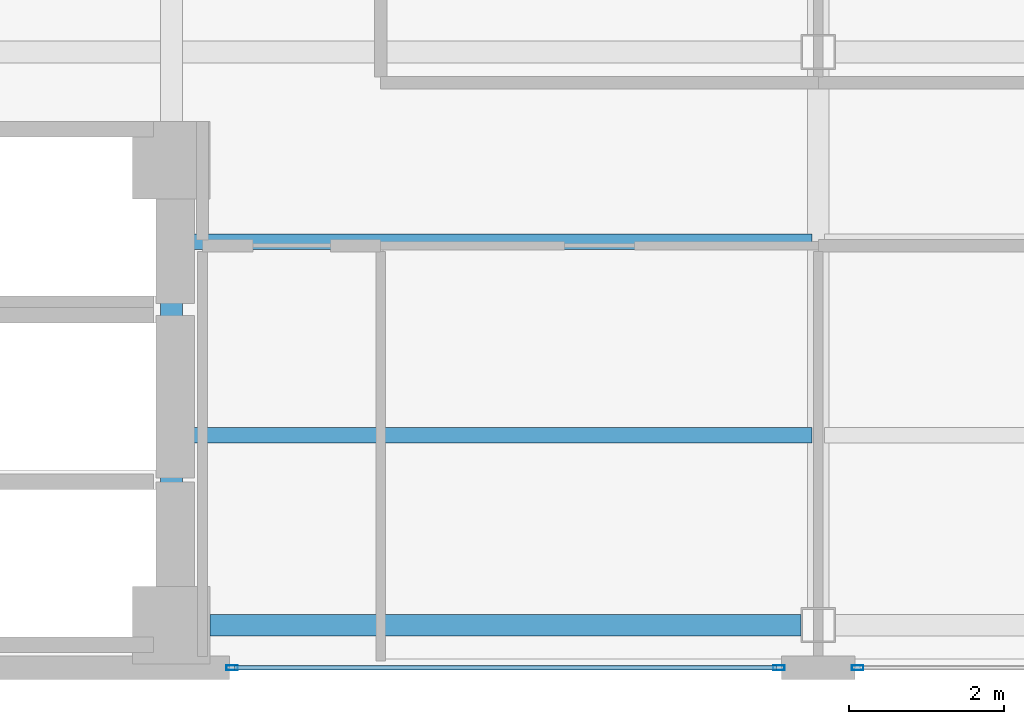
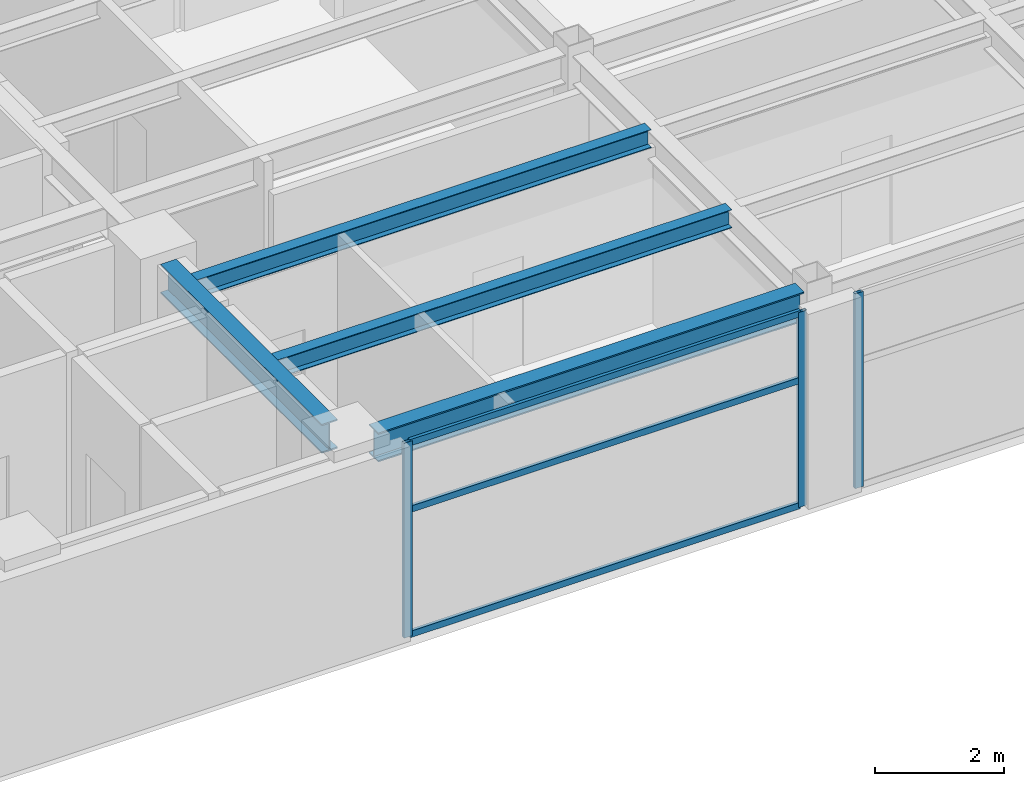
# One storey, part 4 of 16: 6 members, 4 beams, 2 elements without a shape of their own.
"""IFC4 building model written with IfcOpenShell, lengths in metres."""

from ifc_helpers import new_model, si_unit, direction, frame, origin, origin_2d, place, context, subcontext, project, spatial, hollow_rectangle, i_section, extrude, material, layer, layer_set, material_profile, profile_set, type_object, element, aggregate, save


model = new_model("IFC4")

# Units and contexts
model_context = context("Model", 3, precision=1e-05, world=origin(), true_north=direction((0.0, 1.0)))
body_context = subcontext(model_context, "Body", "Model", "MODEL_VIEW")
ifc_project = project(units=[si_unit("LENGTHUNIT", "METRE"), si_unit("AREAUNIT", "SQUARE_METRE"), si_unit("VOLUMEUNIT", "CUBIC_METRE"), si_unit("PLANEANGLEUNIT", "RADIAN"), si_unit("MASSUNIT", "GRAM", prefix="KILO")], contexts=[model_context])

# Site, building, storey
site_placement = place(None, origin())
site = spatial("IfcSite", under=ifc_project, at=site_placement, CompositionType="ELEMENT")
building_placement = place(site_placement, origin())
building = spatial("IfcBuilding", under=site, at=building_placement, Name="Mawjaban Terraces University", CompositionType="ELEMENT")
storey_placement = place(building_placement, frame((0.0, 0.0, 230.39990234375)))
storey = spatial("IfcBuildingStorey", under=building, at=storey_placement, Name="L56", CompositionType="ELEMENT", Elevation=230.39990234375)

# Beams
ifc_material_1 = material(Name="Steel ASTM A572 Grade 50", Category="steel")
ifc_material_profile_1 = material_profile(ifc_material_1, i_section(OverallWidth=0.281005859375, OverallDepth=0.551025390625, WebThickness=0.01513671875, FlangeThickness=0.02587890625, at=origin_2d()), Name="W530X182")
ifc_profile_set_1 = profile_set([ifc_material_profile_1], Name="Steel ASTM A572 Grade 50")
beam_type_1 = type_object("IfcBeamType", Name="Beam_B_W530X182", PredefinedType="BEAM", material=ifc_profile_set_1)
beam_1_placement = place(storey_placement, frame((38.14990234375, 0.550048828125, 3.4150390625), z_axis=(1.0, 0.0, 0.0), x_axis=(0.0, 1.0, 0.0)))
element("IfcBeam", 1, at=beam_1_placement, inside=storey, type_object=beam_type_1, Name="L56 Beam BM-L56-EW-01", PredefinedType="BEAM", context=body_context, shape_type="SweptSolid", body=[
    extrude(i_section(OverallWidth=0.281005859375, OverallDepth=0.551025390625, WebThickness=0.01513671875, FlangeThickness=0.02587890625, at=origin_2d()), origin(), (0.0, 0.0, 1.0), 7.625),
])
beam_2_placement = place(storey_placement, frame((37.64990234375, 1.050048828125, 3.4150390625), z_axis=(0.0, 1.0, 0.0), x_axis=(-1.0, 0.0, 0.0)))
element("IfcBeam", 2, at=beam_2_placement, inside=storey, type_object=beam_type_1, Name="L56 Beam BM-L56-NS-05", PredefinedType="BEAM", context=body_context, shape_type="SweptSolid", body=[
    extrude(i_section(OverallWidth=0.281005859375, OverallDepth=0.551025390625, WebThickness=0.01513671875, FlangeThickness=0.02587890625, at=origin_2d()), origin(), (0.0, 0.0, 1.0), 5.0),
])
ifc_material_profile_2 = material_profile(ifc_material_1, i_section(OverallWidth=0.202880859375, OverallDepth=0.346923828125, WebThickness=0.0078125, FlangeThickness=0.013427734375, at=origin_2d()), Name="W360X64")
ifc_profile_set_2 = profile_set([ifc_material_profile_2], Name="Steel ASTM A572 Grade 50")
beam_type_2 = type_object("IfcBeamType", Name="Beam_J_W360X64", PredefinedType="JOIST", material=ifc_profile_set_2)
for number, where, z_axis, x_axis, name in (
    (3, (37.72998046875, 3.0, 3.51708984375), (1.0, 0.0, 0.0), (0.0, 1.0, 0.0), "L56 Composite Joist JST-L56-01"),
    (4, (37.72998046875, 5.5, 3.51708984375), (1.0, 0.0, 0.0), (0.0, 1.0, 0.0), "L56 Composite Joist JST-L56-04"),
):
    element("IfcBeam", number, at=place(storey_placement, frame(where, z_axis=z_axis, x_axis=x_axis)), inside=storey, type_object=beam_type_2, Name=name, PredefinedType="JOIST", context=body_context, shape_type="SweptSolid", body=[
        extrude(i_section(OverallWidth=0.202880859375, OverallDepth=0.346923828125, WebThickness=0.0078125, FlangeThickness=0.013427734375, at=origin_2d()), origin(), (0.0, 0.0, 1.0), 8.18994140625),
    ])

# Curtain wall, members
ifc_material_2 = material(Name="Anodised aluminium 6063-T6 and solar-control low-E glass", Category="aluminium")
ifc_layer = layer(ifc_material_2, 0.159912109375)
ifc_layer_set = layer_set([ifc_layer], Name="Anodised aluminium 6063-T6 and solar-control low-E glass")
curtain_wall_type = type_object("IfcCurtainWallType", Name="CWSystem_03_NorthWing", PredefinedType="NOTDEFINED", material=ifc_layer_set)
curtain_wall_1_placement = place(storey_placement, origin())
curtain_wall_1 = element("IfcCurtainWall", 5, at=curtain_wall_1_placement, inside=storey, type_object=curtain_wall_type, Name="L56 Curtain Wall CW-03 Run 1.2", PredefinedType="NOTDEFINED")
ifc_material_3 = material(Name="Anodised aluminium 6063-T6", Category="aluminium")
ifc_material_profile_3 = material_profile(ifc_material_3, hollow_rectangle(XDim=0.06005859375, YDim=0.14990234375, WallThickness=0.00390625, at=origin_2d()), Name="ALU150X60X4")
ifc_profile_set_3 = profile_set([ifc_material_profile_3], Name="Anodised aluminium 6063-T6")
member_type_1 = type_object("IfcMemberType", Name="Mullion_CW-03", PredefinedType="MULLION", material=ifc_profile_set_3)
member_1_placement = place(storey_placement, frame((38.4326171875, 0.0, 0.0), z_axis=(0.0, 0.0, 1.0), x_axis=(0.0, 1.0, 0.0)))
member_1 = element("IfcMember", 6, at=member_1_placement, type_object=member_type_1, Name="CW-03 mullion 1", PredefinedType="MULLION", context=body_context, shape_type="SweptSolid", body=[
    extrude(hollow_rectangle(XDim=0.06005859375, YDim=0.14990234375, WallThickness=0.00390625, at=origin_2d()), origin(), (0.0, 0.0, 1.0), 3.690185546875),
])
member_2_placement = place(storey_placement, frame((45.492431640625, 0.0, 0.0), z_axis=(0.0, 0.0, 1.0), x_axis=(0.0, 1.0, 0.0)))
member_2 = element("IfcMember", 7, at=member_2_placement, type_object=member_type_1, Name="CW-03 mullion 2", PredefinedType="MULLION", context=body_context, shape_type="SweptSolid", body=[
    extrude(hollow_rectangle(XDim=0.06005859375, YDim=0.14990234375, WallThickness=0.00390625, at=origin_2d()), origin(), (0.0, 0.0, 1.0), 3.690185546875),
])

# Curtain wall, member
curtain_wall_2_placement = place(storey_placement, origin())
curtain_wall_2 = element("IfcCurtainWall", 8, at=curtain_wall_2_placement, inside=storey, type_object=curtain_wall_type, Name="L56 Curtain Wall CW-03 Run 1.3", PredefinedType="NOTDEFINED")
member_3_placement = place(storey_placement, frame((46.507568359375, 0.0, 0.0), z_axis=(0.0, 0.0, 1.0), x_axis=(0.0, 1.0, 0.0)))
member_3 = element("IfcMember", 9, at=member_3_placement, type_object=member_type_1, Name="CW-03 mullion 1", PredefinedType="MULLION", context=body_context, shape_type="SweptSolid", body=[
    extrude(hollow_rectangle(XDim=0.06005859375, YDim=0.14990234375, WallThickness=0.00390625, at=origin_2d()), origin(), (0.0, 0.0, 1.0), 3.690185546875),
])
aggregate(curtain_wall_2, [member_3])

# Member
ifc_material_profile_4 = material_profile(ifc_material_3, hollow_rectangle(XDim=0.06005859375, YDim=0.1201171875, WallThickness=0.00341796875, at=origin_2d()), Name="ALU120X60X3.5")
ifc_profile_set_4 = profile_set([ifc_material_profile_4], Name="Anodised aluminium 6063-T6")
member_type_2 = type_object("IfcMemberType", Name="Transom_CW-03", PredefinedType="NOTDEFINED", material=ifc_profile_set_4)
member_4_placement = place(storey_placement, frame((38.465087890625, 0.0, 0.030029296875), z_axis=(1.0, 0.0, 0.0), x_axis=(0.0, 1.0, 0.0)))
member_4 = element("IfcMember", 10, at=member_4_placement, type_object=member_type_2, Name="CW-03 transom 1.1", ObjectType="TRANSOM", PredefinedType="USERDEFINED", context=body_context, shape_type="SweptSolid", body=[
    extrude(hollow_rectangle(XDim=0.06005859375, YDim=0.1201171875, WallThickness=0.00341796875, at=origin_2d()), origin(), (0.0, 0.0, 1.0), 6.994873046875),
])

member_5_placement = place(storey_placement, frame((38.465087890625, 0.0, 2.398193359375), z_axis=(1.0, 0.0, 0.0), x_axis=(0.0, 1.0, 0.0)))
member_5 = element("IfcMember", 11, at=member_5_placement, type_object=member_type_2, Name="CW-03 transom 1.2", ObjectType="TRANSOM", PredefinedType="USERDEFINED", context=body_context, shape_type="SweptSolid", body=[
    extrude(hollow_rectangle(XDim=0.06005859375, YDim=0.1201171875, WallThickness=0.00341796875, at=origin_2d()), origin(), (0.0, 0.0, 1.0), 6.994873046875),
])

member_6_placement = place(storey_placement, frame((38.465087890625, 0.0, 3.66015625), z_axis=(1.0, 0.0, 0.0), x_axis=(0.0, 1.0, 0.0)))
member_6 = element("IfcMember", 12, at=member_6_placement, type_object=member_type_2, Name="CW-03 transom 1.3", ObjectType="TRANSOM", PredefinedType="USERDEFINED", context=body_context, shape_type="SweptSolid", body=[
    extrude(hollow_rectangle(XDim=0.06005859375, YDim=0.1201171875, WallThickness=0.00341796875, at=origin_2d()), origin(), (0.0, 0.0, 1.0), 6.994873046875),
])

aggregate(curtain_wall_1, [member_1, member_2, member_4, member_5, member_6])

save(model, "model.ifc")
